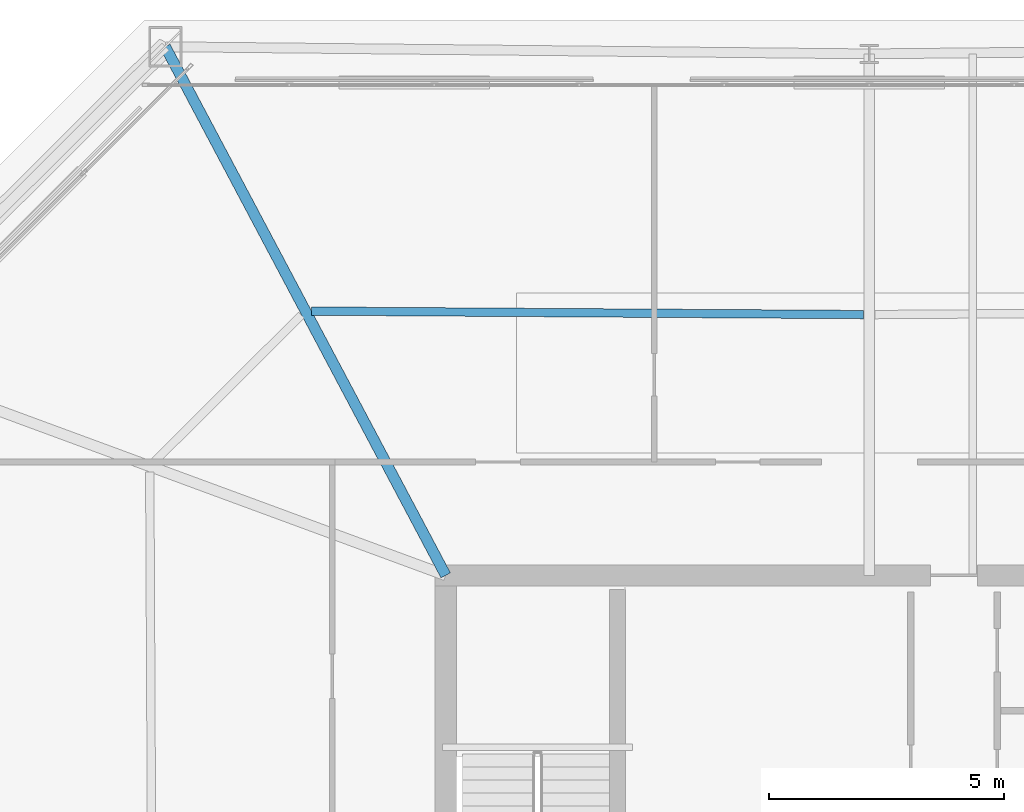
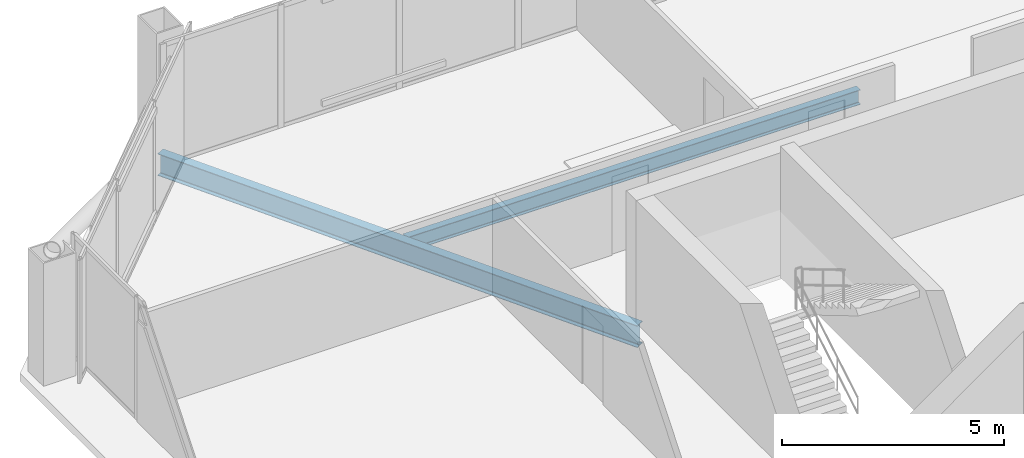
# One storey, part 27 of 39: 2 beams.
"""IFC4 building model written with IfcOpenShell, lengths in metres."""

from ifc_helpers import new_model, si_unit, direction, frame, origin, origin_2d, place, context, subcontext, project, spatial, i_section, extrude, material, material_profile, profile_set, type_object, element, save


model = new_model("IFC4")

# Units and contexts
model_context = context("Model", 3, precision=1e-05, world=origin(), true_north=direction((0.0, 1.0)))
body_context = subcontext(model_context, "Body", "Model", "MODEL_VIEW")
ifc_project = project(units=[si_unit("LENGTHUNIT", "METRE"), si_unit("AREAUNIT", "SQUARE_METRE"), si_unit("VOLUMEUNIT", "CUBIC_METRE"), si_unit("PLANEANGLEUNIT", "RADIAN"), si_unit("MASSUNIT", "GRAM", prefix="KILO")], contexts=[model_context])

# Site, building, storey
site_placement = place(None, origin())
site = spatial("IfcSite", under=ifc_project, at=site_placement, CompositionType="ELEMENT")
building_placement = place(site_placement, origin())
building = spatial("IfcBuilding", under=site, at=building_placement, Name="Caelvoria Tower", CompositionType="ELEMENT")
storey_placement = place(building_placement, frame((0.0, 0.0, 198.60009765625)))
storey = spatial("IfcBuildingStorey", under=building, at=storey_placement, Name="L52", CompositionType="ELEMENT", Elevation=198.60009765625)

# Beams
ifc_material = material(Name="Structural Steel ASTM A992 Gr.50", Category="steel")
ifc_material_profile_1 = material_profile(ifc_material, i_section(OverallWidth=0.22802734375, OverallDepth=0.60302734375, WebThickness=0.010498046875, FlangeThickness=0.014892578125, FilletRadius=0.01806640625, at=origin_2d()), Name="Structural Steel ASTM A992 Gr.50")
ifc_profile_set_1 = profile_set([ifc_material_profile_1], Name="W610X101 - Structural Steel ASTM A992 Gr.50")
beam_type_1 = type_object("IfcBeamType", Name="Primary Floor Girder W610X101", PredefinedType="BEAM", material=ifc_profile_set_1)
beam_1_placement = place(storey_placement, frame((37.0, 40.0, -0.526611328125), z_axis=(-0.468613670085, 0.883403208173, 0.0), x_axis=(-0.883403208173, -0.468613670085, 0.0)))
element("IfcBeam", 1, at=beam_1_placement, inside=storey, type_object=beam_type_1, Name="Primary Floor Girder L52-08", PredefinedType="BEAM", context=body_context, shape_type="SweptSolid", body=[
    extrude(i_section(OverallWidth=0.22802734375, OverallDepth=0.60302734375, WebThickness=0.010498046875, FlangeThickness=0.014892578125, FilletRadius=0.01806640625, at=origin_2d()), origin(), (0.0, 0.0, 1.0), 12.714111328125),
])
ifc_material_profile_2 = material_profile(ifc_material, i_section(OverallWidth=0.177978515625, OverallDepth=0.406982421875, WebThickness=0.0078125, FlangeThickness=0.0126953125, FilletRadius=0.013916015625, at=origin_2d()), Name="Structural Steel ASTM A992 Gr.50")
ifc_profile_set_2 = profile_set([ifc_material_profile_2], Name="W410X60 - Structural Steel ASTM A992 Gr.50")
beam_type_2 = type_object("IfcBeamType", Name="Secondary Floor Beam W410X60", PredefinedType="BEAM", material=ifc_profile_set_2)
beam_2_placement = place(storey_placement, frame((45.875, 45.540771484375, -0.4287109375), z_axis=(-0.999979980097, 0.00632766983, 0.0), x_axis=(-0.00632766983, -0.999979980097, 0.0)))
element("IfcBeam", 2, at=beam_2_placement, inside=storey, type_object=beam_type_2, Name="Secondary Floor Beam L52-07", PredefinedType="BEAM", context=body_context, shape_type="SweptSolid", body=[
    extrude(i_section(OverallWidth=0.177978515625, OverallDepth=0.406982421875, WebThickness=0.0078125, FlangeThickness=0.0126953125, FilletRadius=0.013916015625, at=origin_2d()), origin(), (0.0, 0.0, 1.0), 11.729248046875),
])

save(model, "model.ifc")
